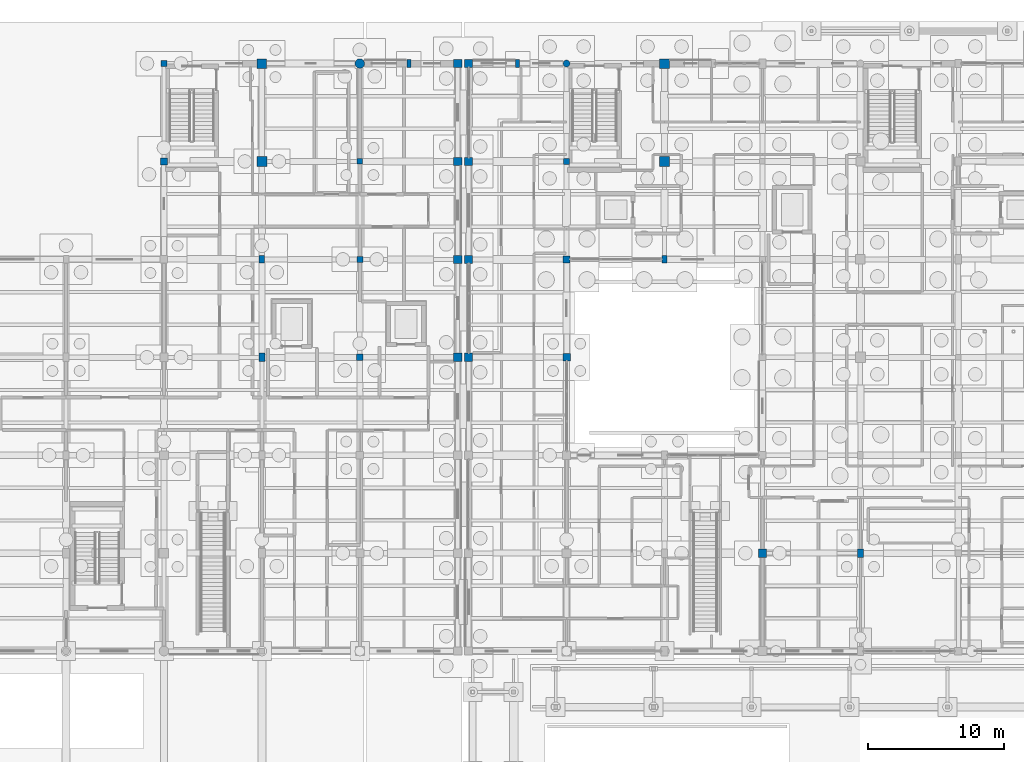
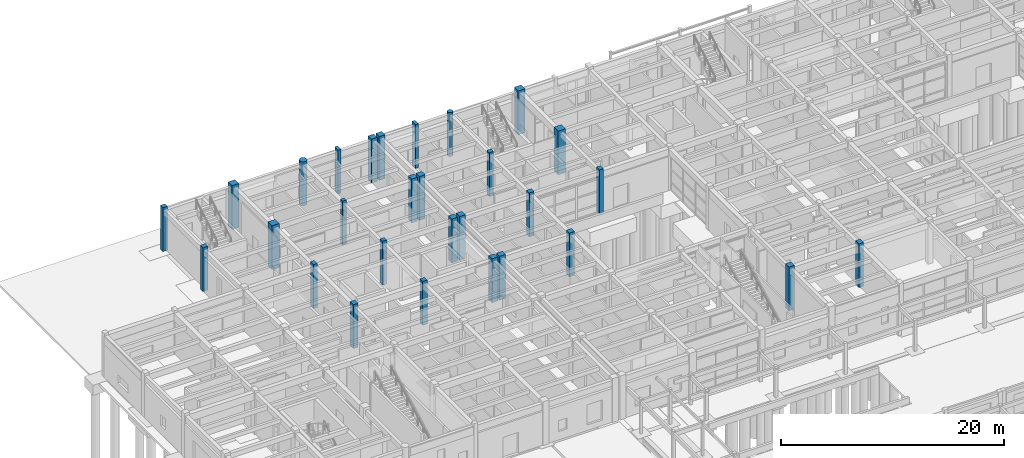
# One storey, part 24 of 143: 29 columns.
"""IFC4 building model written with IfcOpenShell, lengths in metres."""

from ifc_helpers import new_model, si_unit, direction, frame, origin, origin_2d, place, context, subcontext, project, spatial, rectangle, circle, extrude, material, material_profile, profile_set, type_object, element, save


model = new_model("IFC4")

# Units and contexts
model_context = context("Model", 3, precision=1e-05, world=origin(), true_north=direction((0.0, 1.0)))
body_context = subcontext(model_context, "Body", "Model", "MODEL_VIEW")
ifc_project = project(units=[si_unit("LENGTHUNIT", "METRE"), si_unit("AREAUNIT", "SQUARE_METRE"), si_unit("VOLUMEUNIT", "CUBIC_METRE"), si_unit("PLANEANGLEUNIT", "RADIAN"), si_unit("MASSUNIT", "GRAM", prefix="KILO")], contexts=[model_context])

# Site, building, storey
site_placement = place(None, origin())
site = spatial("IfcSite", under=ifc_project, at=site_placement, CompositionType="ELEMENT")
building_placement = place(site_placement, origin())
building = spatial("IfcBuilding", under=site, at=building_placement, Name="Steenspoor Specialist Clinic", CompositionType="ELEMENT")
storey_placement = place(building_placement, origin())
storey = spatial("IfcBuildingStorey", under=building, at=storey_placement, Name="L00", CompositionType="ELEMENT", Elevation=0.0)

# Columns
ifc_material = material(Name="Concrete C40/50", Category="concrete")
ifc_material_profile_1 = material_profile(ifc_material, rectangle(XDim=0.39990234375, YDim=0.39990234375, at=origin_2d()), Name="RC-COL-400X400")
ifc_profile_set_1 = profile_set([ifc_material_profile_1], Name="Concrete C40/50")
column_type_1 = type_object("IfcColumnType", Name="COL-RC-400", PredefinedType="COLUMN", material=ifc_profile_set_1)
column_1_placement = place(storey_placement, frame((44.39990234375, 101.14990234375, 0.0), z_axis=(0.0, 0.0, 1.0), x_axis=(1.0, 0.0, 0.0)))
element("IfcColumn", 1, at=column_1_placement, inside=storey, type_object=column_type_1, Name="Column COL-L00-0608", PredefinedType="COLUMN", context=body_context, shape_type="SweptSolid", body=[
    extrude(rectangle(XDim=0.39990234375, YDim=0.39990234375, at=origin_2d()), origin(), (0.0, 0.0, 1.0), 4.800048828125),
])
ifc_material_profile_2 = material_profile(ifc_material, rectangle(XDim=0.39990234375, YDim=0.550048828125, at=origin_2d()), Name="RC-COL-400X550")
ifc_profile_set_2 = profile_set([ifc_material_profile_2], Name="Concrete C40/50")
column_type_2 = type_object("IfcColumnType", Name="COL-RC-400X550", PredefinedType="COLUMN", material=ifc_profile_set_2)
for number, where, z_axis, x_axis, name in (
    (2, (66.800048828125, 93.949951171875, 0.0), (0.0, 0.0, 1.0), (1.0, 0.0, 0.0), "Column COL-L00-0251"),
    (3, (37.199951171875, 93.949951171875, 0.0), (0.0, 0.0, 1.0), (1.0, 0.0, 0.0), "Column COL-L00-0577"),
):
    element("IfcColumn", number, at=place(storey_placement, frame(where, z_axis=z_axis, x_axis=x_axis)), inside=storey, type_object=column_type_2, Name=name, PredefinedType="COLUMN", context=body_context, shape_type="SweptSolid", body=[
        extrude(rectangle(XDim=0.39990234375, YDim=0.550048828125, at=origin_2d()), origin(), (0.0, 0.0, 1.0), 4.800048828125),
    ])
ifc_material_profile_3 = material_profile(ifc_material, rectangle(XDim=0.449951171875, YDim=0.449951171875, at=origin_2d()), Name="RC-COL-450X450")
ifc_profile_set_3 = profile_set([ifc_material_profile_3], Name="Concrete C40/50")
column_type_3 = type_object("IfcColumnType", Name="COL-RC-450", PredefinedType="COLUMN", material=ifc_profile_set_3)
for number, where, z_axis, x_axis, name in (
    (4, (59.60009765625, 101.14990234375, 0.0), (0.0, 0.0, 1.0), (1.0, 0.0, 0.0), "Column COL-L00-0228"),
    (5, (30.0, 108.35009765625, 0.0), (0.0, 0.0, 1.0), (1.0, 0.0, 0.0), "Column COL-L00-0558"),
    (6, (44.39990234375, 93.949951171875, 0.0), (0.0, 0.0, 1.0), (1.0, 0.0, 0.0), "Column COL-L00-0604"),
):
    element("IfcColumn", number, at=place(storey_placement, frame(where, z_axis=z_axis, x_axis=x_axis)), inside=storey, type_object=column_type_3, Name=name, PredefinedType="COLUMN", context=body_context, shape_type="SweptSolid", body=[
        extrude(rectangle(XDim=0.449951171875, YDim=0.449951171875, at=origin_2d()), origin(), (0.0, 0.0, 1.0), 4.800048828125),
    ])
ifc_material_profile_4 = material_profile(ifc_material, rectangle(XDim=0.449951171875, YDim=0.60009765625, at=origin_2d()), Name="RC-COL-450X600")
ifc_profile_set_4 = profile_set([ifc_material_profile_4], Name="Concrete C40/50")
column_type_4 = type_object("IfcColumnType", Name="COL-RC-450X600", PredefinedType="COLUMN", material=ifc_profile_set_4)
for number, where, z_axis, x_axis, name in (
    (7, (81.199951171875, 72.35009765625, 0.0), (0.0, 0.0, 1.0), (1.0, 0.0, 0.0), "Column COL-L00-0308"),
    (8, (37.199951171875, 86.75, 0.0), (0.0, 0.0, 1.0), (1.0, 0.0, 0.0), "Column COL-L00-0573"),
):
    element("IfcColumn", number, at=place(storey_placement, frame(where, z_axis=z_axis, x_axis=x_axis)), inside=storey, type_object=column_type_4, Name=name, PredefinedType="COLUMN", context=body_context, shape_type="SweptSolid", body=[
        extrude(rectangle(XDim=0.449951171875, YDim=0.60009765625, at=origin_2d()), origin(), (0.0, 0.0, 1.0), 4.800048828125),
    ])
ifc_material_profile_5 = material_profile(ifc_material, rectangle(XDim=0.5, YDim=0.5, at=origin_2d()), Name="RC-COL-500X500")
ifc_profile_set_5 = profile_set([ifc_material_profile_5], Name="Concrete C40/50")
column_type_5 = type_object("IfcColumnType", Name="COL-RC-500", PredefinedType="COLUMN", material=ifc_profile_set_5)
for number, where, z_axis, x_axis, name in (
    (9, (59.60009765625, 93.949951171875, 0.0), (0.0, 0.0, 1.0), (1.0, 0.0, 0.0), "Column COL-L00-0222"),
    (10, (30.0, 101.14990234375, 0.0), (0.0, 0.0, 1.0), (1.0, 0.0, 0.0), "Column COL-L00-0554"),
    (11, (44.39990234375, 86.75, 0.0), (0.0, 0.0, 1.0), (1.0, 0.0, 0.0), "Column COL-L00-0600"),
):
    element("IfcColumn", number, at=place(storey_placement, frame(where, z_axis=z_axis, x_axis=x_axis)), inside=storey, type_object=column_type_5, Name=name, PredefinedType="COLUMN", context=body_context, shape_type="SweptSolid", body=[
        extrude(rectangle(XDim=0.5, YDim=0.5, at=origin_2d()), origin(), (0.0, 0.0, 1.0), 4.800048828125),
    ])
ifc_material_profile_6 = material_profile(ifc_material, rectangle(XDim=0.550048828125, YDim=0.550048828125, at=origin_2d()), Name="RC-COL-550X550")
ifc_profile_set_6 = profile_set([ifc_material_profile_6], Name="Concrete C40/50")
column_type_6 = type_object("IfcColumnType", Name="COL-RC-550", PredefinedType="COLUMN", material=ifc_profile_set_6)
column_2_placement = place(storey_placement, frame((59.60009765625, 86.75, 0.0), z_axis=(0.0, 0.0, 1.0), x_axis=(1.0, 0.0, 0.0)))
element("IfcColumn", 12, at=column_2_placement, inside=storey, type_object=column_type_6, Name="Column COL-L00-0218", PredefinedType="COLUMN", context=body_context, shape_type="SweptSolid", body=[
    extrude(rectangle(XDim=0.550048828125, YDim=0.550048828125, at=origin_2d()), origin(), (0.0, 0.0, 1.0), 4.800048828125),
])
ifc_material_profile_7 = material_profile(ifc_material, rectangle(XDim=0.60009765625, YDim=0.60009765625, at=origin_2d()), Name="RC-COL-600X600")
ifc_profile_set_7 = profile_set([ifc_material_profile_7], Name="Concrete C40/50")
column_type_7 = type_object("IfcColumnType", Name="COL-RC-600", PredefinedType="COLUMN", material=ifc_profile_set_7)
for number, where, z_axis, x_axis, name in (
    (13, (52.39990234375, 86.75, 0.0), (0.0, 0.0, 1.0), (1.0, 0.0, 0.0), "Column COL-L00-0191"),
    (14, (52.39990234375, 93.949951171875, 0.0), (0.0, 0.0, 1.0), (1.0, 0.0, 0.0), "Column COL-L00-0195"),
    (15, (52.39990234375, 101.14990234375, 0.0), (0.0, 0.0, 1.0), (1.0, 0.0, 0.0), "Column COL-L00-0199"),
    (16, (52.39990234375, 108.35009765625, 0.0), (0.0, 0.0, 1.0), (1.0, 0.0, 0.0), "Column COL-L00-0203"),
    (17, (74.0, 72.35009765625, 0.0), (0.0, 0.0, 1.0), (1.0, 0.0, 0.0), "Column COL-L00-0271"),
    (18, (51.60009765625, 86.75, 0.0), (0.0, 0.0, 1.0), (1.0, 0.0, 0.0), "Column COL-L00-0627"),
    (19, (51.60009765625, 93.949951171875, 0.0), (0.0, 0.0, 1.0), (1.0, 0.0, 0.0), "Column COL-L00-0631"),
    (20, (51.60009765625, 101.14990234375, 0.0), (0.0, 0.0, 1.0), (1.0, 0.0, 0.0), "Column COL-L00-0635"),
    (21, (51.60009765625, 108.35009765625, 0.0), (0.0, 0.0, 1.0), (1.0, 0.0, 0.0), "Column COL-L00-0639"),
):
    element("IfcColumn", number, at=place(storey_placement, frame(where, z_axis=z_axis, x_axis=x_axis)), inside=storey, type_object=column_type_7, Name=name, PredefinedType="COLUMN", context=body_context, shape_type="SweptSolid", body=[
        extrude(rectangle(XDim=0.60009765625, YDim=0.60009765625, at=origin_2d()), origin(), (0.0, 0.0, 1.0), 4.800048828125),
    ])
ifc_material_profile_8 = material_profile(ifc_material, rectangle(XDim=0.699951171875, YDim=0.699951171875, at=origin_2d()), Name="RC-COL-700X700")
ifc_profile_set_8 = profile_set([ifc_material_profile_8], Name="Concrete C40/50")
column_type_8 = type_object("IfcColumnType", Name="COL-RC-700", PredefinedType="COLUMN", material=ifc_profile_set_8)
for number, where, z_axis, x_axis, name in (
    (22, (66.800048828125, 108.35009765625, 0.0), (0.0, 0.0, 1.0), (1.0, 0.0, 0.0), "Column COL-L00-0263"),
    (23, (37.199951171875, 108.35009765625, 0.0), (0.0, 0.0, 1.0), (1.0, 0.0, 0.0), "Column COL-L00-0585"),
):
    element("IfcColumn", number, at=place(storey_placement, frame(where, z_axis=z_axis, x_axis=x_axis)), inside=storey, type_object=column_type_8, Name=name, PredefinedType="COLUMN", context=body_context, shape_type="SweptSolid", body=[
        extrude(rectangle(XDim=0.699951171875, YDim=0.699951171875, at=origin_2d()), origin(), (0.0, 0.0, 1.0), 4.800048828125),
    ])
ifc_material_profile_9 = material_profile(ifc_material, rectangle(XDim=0.75, YDim=0.75, at=origin_2d()), Name="RC-COL-750X750")
ifc_profile_set_9 = profile_set([ifc_material_profile_9], Name="Concrete C40/50")
column_type_9 = type_object("IfcColumnType", Name="COL-RC-750", PredefinedType="COLUMN", material=ifc_profile_set_9)
for number, where, z_axis, x_axis, name in (
    (24, (66.800048828125, 101.14990234375, 0.0), (0.0, 0.0, 1.0), (1.0, 0.0, 0.0), "Column COL-L00-0257"),
    (25, (37.199951171875, 101.14990234375, 0.0), (0.0, 0.0, 1.0), (1.0, 0.0, 0.0), "Column COL-L00-0581"),
):
    element("IfcColumn", number, at=place(storey_placement, frame(where, z_axis=z_axis, x_axis=x_axis)), inside=storey, type_object=column_type_9, Name=name, PredefinedType="COLUMN", context=body_context, shape_type="SweptSolid", body=[
        extrude(rectangle(XDim=0.75, YDim=0.75, at=origin_2d()), origin(), (0.0, 0.0, 1.0), 4.800048828125),
    ])
ifc_material_profile_10 = material_profile(ifc_material, circle(Radius=0.25, at=origin_2d()), Name="RC-COL-D500")
ifc_profile_set_10 = profile_set([ifc_material_profile_10], Name="Concrete C40/50")
column_type_10 = type_object("IfcColumnType", Name="COL-RC-D500", PredefinedType="COLUMN", material=ifc_profile_set_10)
column_3_placement = place(storey_placement, frame((59.60009765625, 108.35009765625, 0.0), z_axis=(0.0, 0.0, 1.0), x_axis=(1.0, 0.0, 0.0)))
element("IfcColumn", 26, at=column_3_placement, inside=storey, type_object=column_type_10, Name="Column COL-L00-0234", PredefinedType="COLUMN", context=body_context, shape_type="SweptSolid", body=[
    extrude(circle(Radius=0.25, at=origin_2d()), origin(), (0.0, 0.0, 1.0), 4.800048828125),
])
ifc_material_profile_11 = material_profile(ifc_material, circle(Radius=0.35009765625, at=origin_2d()), Name="RC-COL-D700")
ifc_profile_set_11 = profile_set([ifc_material_profile_11], Name="Concrete C40/50")
column_type_11 = type_object("IfcColumnType", Name="COL-RC-D700", PredefinedType="COLUMN", material=ifc_profile_set_11)
column_4_placement = place(storey_placement, frame((44.39990234375, 108.35009765625, 0.0), z_axis=(0.0, 0.0, 1.0), x_axis=(1.0, 0.0, 0.0)))
element("IfcColumn", 27, at=column_4_placement, inside=storey, type_object=column_type_11, Name="Column COL-L00-0612", PredefinedType="COLUMN", context=body_context, shape_type="SweptSolid", body=[
    extrude(circle(Radius=0.35009765625, at=origin_2d()), origin(), (0.0, 0.0, 1.0), 4.800048828125),
])
ifc_material_profile_12 = material_profile(ifc_material, rectangle(XDim=0.300048828125, YDim=0.6201171875, at=origin_2d()), Name="RC-PIL-300X620")
ifc_profile_set_12 = profile_set([ifc_material_profile_12], Name="Concrete C40/50")
column_type_12 = type_object("IfcColumnType", Name="PIL-RC-300X620", PredefinedType="PILASTER", material=ifc_profile_set_12)
for number, where, z_axis, x_axis, name in (
    (28, (56.0, 108.35009765625, 0.0), (0.0, 0.0, 1.0), (1.0, 0.0, 0.0), "Brick Pilaster PIL-L00-013"),
    (29, (48.0, 108.35009765625, 0.0), (0.0, 0.0, 1.0), (1.0, 0.0, 0.0), "Brick Pilaster PIL-L00-033"),
):
    element("IfcColumn", number, at=place(storey_placement, frame(where, z_axis=z_axis, x_axis=x_axis)), inside=storey, type_object=column_type_12, Name=name, PredefinedType="PILASTER", context=body_context, shape_type="SweptSolid", body=[
        extrude(rectangle(XDim=0.300048828125, YDim=0.6201171875, at=origin_2d()), origin(), (0.0, 0.0, 1.0), 4.800048828125),
    ])

save(model, "model.ifc")
